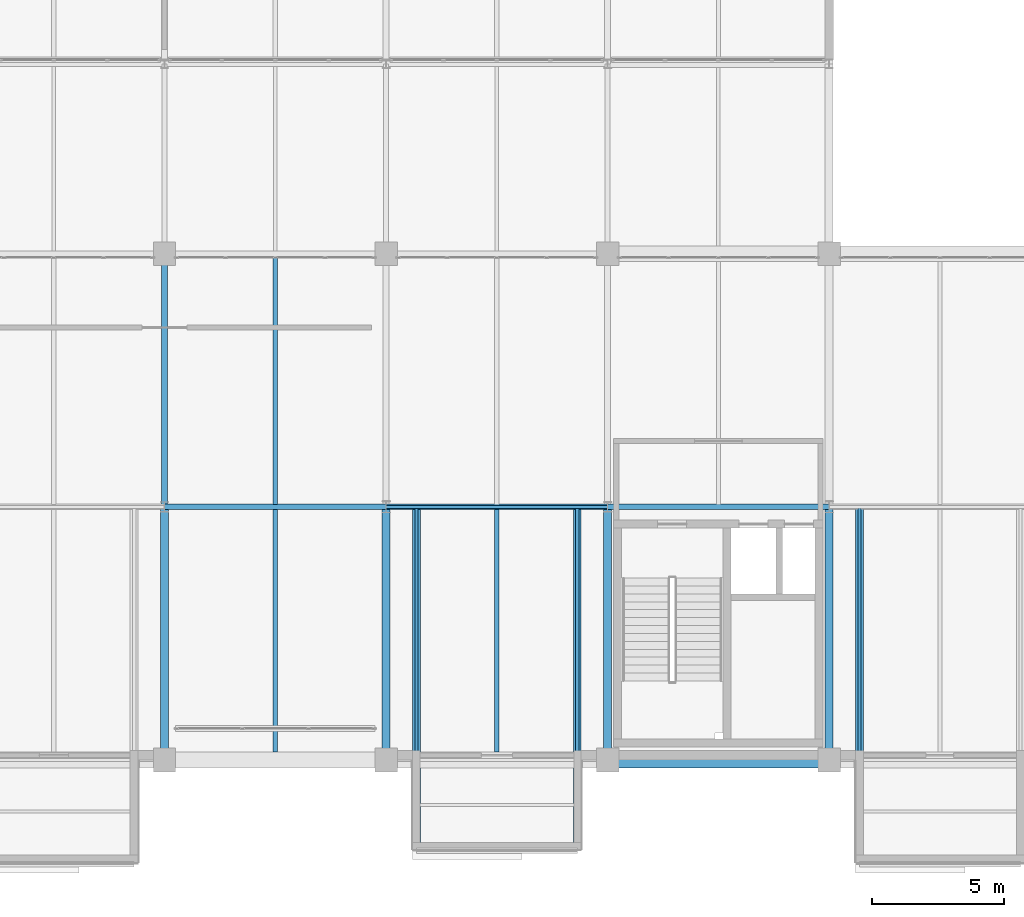
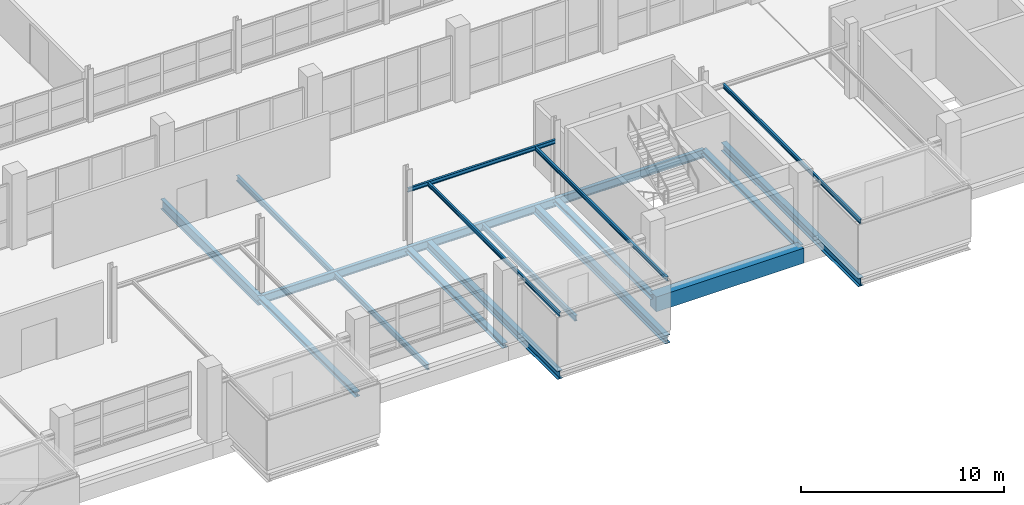
# One storey, part 35 of 103: 19 beams.
"""IFC4 building model written with IfcOpenShell, lengths in metres."""

from ifc_helpers import new_model, si_unit, direction, frame, origin, origin_2d, place, context, subcontext, project, spatial, rectangle, i_section, extrude, material, material_profile, profile_set, type_object, element, save


model = new_model("IFC4")

# Units and contexts
model_context = context("Model", 3, precision=1e-05, world=origin(), true_north=direction((0.0, 1.0)))
body_context = subcontext(model_context, "Body", "Model", "MODEL_VIEW")
ifc_project = project(units=[si_unit("LENGTHUNIT", "METRE"), si_unit("AREAUNIT", "SQUARE_METRE"), si_unit("VOLUMEUNIT", "CUBIC_METRE"), si_unit("PLANEANGLEUNIT", "RADIAN"), si_unit("MASSUNIT", "GRAM", prefix="KILO")], contexts=[model_context])

# Site, building, storey
site_placement = place(None, origin())
site = spatial("IfcSite", under=ifc_project, at=site_placement, CompositionType="ELEMENT")
building_placement = place(site_placement, origin())
building = spatial("IfcBuilding", under=site, at=building_placement, Name="Veltarok Museum of Natural Sciences", CompositionType="ELEMENT")
storey_placement = place(building_placement, frame((0.0, 0.0, 21.89990234375)))
storey = spatial("IfcBuildingStorey", under=building, at=storey_placement, Name="L04", CompositionType="ELEMENT", Elevation=21.89990234375)

# Beams
ifc_material_1 = material(Name="Steel S355J2", Category="steel")
ifc_material_profile_1 = material_profile(ifc_material_1, i_section(OverallWidth=0.300048828125, OverallDepth=0.5, WebThickness=0.014404296875, FlangeThickness=0.028076171875, FilletRadius=0.027099609375, at=origin_2d()), Name="HEB 500")
ifc_profile_set_1 = profile_set([ifc_material_profile_1], Name="Steel S355J2")
beam_type_1 = type_object("IfcBeamType", Name="Cabinet Box Cantilever Girder HEB 500", PredefinedType="BEAM", material=ifc_profile_set_1)
for number, where, z_axis, x_axis, name in (
    (1, (83.14990234375, -3.39990234375, -0.5), (0.0, 1.0, 0.0), (-1.0, 0.0, 0.0), "Cabinet Cantilever Girder DB-22-1"),
    (2, (89.25, -3.39990234375, -0.5), (0.0, 1.0, 0.0), (-1.0, 0.0, 0.0), "Cabinet Cantilever Girder DB-22-2"),
):
    element("IfcBeam", number, at=place(storey_placement, frame(where, z_axis=z_axis, x_axis=x_axis)), inside=storey, type_object=beam_type_1, Name=name, PredefinedType="BEAM", context=body_context, shape_type="SweptSolid", body=[
        extrude(i_section(OverallWidth=0.300048828125, OverallDepth=0.5, WebThickness=0.014404296875, FlangeThickness=0.028076171875, FilletRadius=0.027099609375, at=origin_2d()), origin(), (0.0, 0.0, 1.0), 13.0),
    ])
beam_1_placement = place(storey_placement, frame((99.949951171875, -3.89990234375, -0.5), z_axis=(0.0, 1.0, 0.0), x_axis=(-1.0, 0.0, 0.0)))
element("IfcBeam", 3, at=beam_1_placement, inside=storey, type_object=beam_type_1, Name="Cabinet Cantilever Girder DB-23-1", PredefinedType="BEAM", context=body_context, shape_type="SweptSolid", body=[
    extrude(i_section(OverallWidth=0.300048828125, OverallDepth=0.5, WebThickness=0.014404296875, FlangeThickness=0.028076171875, FilletRadius=0.027099609375, at=origin_2d()), origin(), (0.0, 0.0, 1.0), 13.5),
])
ifc_material_profile_2 = material_profile(ifc_material_1, i_section(OverallWidth=0.1201171875, OverallDepth=0.239990234375, WebThickness=0.006103515625, FlangeThickness=0.009765625, FilletRadius=0.014892578125, at=origin_2d()), Name="IPE 240")
ifc_profile_set_2 = profile_set([ifc_material_profile_2], Name="Steel S355J2")
beam_type_2 = type_object("IfcBeamType", Name="Cabinet Box Secondary Joist IPE 240", PredefinedType="JOIST", material=ifc_profile_set_2)
for number, where, z_axis, x_axis, name in (
    (4, (83.14990234375, -3.39990234375, 3.130126953125), (0.0, 1.0, 0.0), (-1.0, 0.0, 0.0), "Cabinet Roof Rafter DB-22-1"),
    (5, (89.25, -3.39990234375, 3.130126953125), (0.0, 1.0, 0.0), (-1.0, 0.0, 0.0), "Cabinet Roof Rafter DB-22-2"),
):
    element("IfcBeam", number, at=place(storey_placement, frame(where, z_axis=z_axis, x_axis=x_axis)), inside=storey, type_object=beam_type_2, Name=name, PredefinedType="JOIST", context=body_context, shape_type="SweptSolid", body=[
        extrude(i_section(OverallWidth=0.1201171875, OverallDepth=0.239990234375, WebThickness=0.006103515625, FlangeThickness=0.009765625, FilletRadius=0.014892578125, at=origin_2d()), origin(), (0.0, 0.0, 1.0), 13.0),
    ])
beam_2_placement = place(storey_placement, frame((82.0, 9.60009765625, 3.130126953125), z_axis=(1.0, 0.0, 0.0), x_axis=(0.0, 1.0, 0.0)))
element("IfcBeam", 6, at=beam_2_placement, inside=storey, type_object=beam_type_2, Name="Cabinet Roof Tie Beam DB-22-I", PredefinedType="JOIST", context=body_context, shape_type="SweptSolid", body=[
    extrude(i_section(OverallWidth=0.1201171875, OverallDepth=0.239990234375, WebThickness=0.006103515625, FlangeThickness=0.009765625, FilletRadius=0.014892578125, at=origin_2d()), origin(), (0.0, 0.0, 1.0), 8.39990234375),
])
beam_3_placement = place(storey_placement, frame((99.949951171875, -3.89990234375, 3.130126953125), z_axis=(0.0, 1.0, 0.0), x_axis=(-1.0, 0.0, 0.0)))
element("IfcBeam", 7, at=beam_3_placement, inside=storey, type_object=beam_type_2, Name="Cabinet Roof Rafter DB-23-1", PredefinedType="JOIST", context=body_context, shape_type="SweptSolid", body=[
    extrude(i_section(OverallWidth=0.1201171875, OverallDepth=0.239990234375, WebThickness=0.006103515625, FlangeThickness=0.009765625, FilletRadius=0.014892578125, at=origin_2d()), origin(), (0.0, 0.0, 1.0), 13.5),
])
ifc_material_2 = material(Name="Concrete C40/50", Category="concrete")
ifc_material_profile_3 = material_profile(ifc_material_2, rectangle(XDim=0.60009765625, YDim=0.89990234375, at=origin_2d()), Name="RC 600x900")
ifc_profile_set_3 = profile_set([ifc_material_profile_3], Name="Concrete C40/50")
beam_type_3 = type_object("IfcBeamType", Name="Exposed Cabinet Perimeter Spandrel RC 600x900", PredefinedType="SPANDREL", material=ifc_profile_set_3)
beam_4_placement = place(storey_placement, frame((90.39990234375, 0.0, -0.699951171875), z_axis=(1.0, 0.0, 0.0), x_axis=(0.0, 1.0, 0.0)))
element("IfcBeam", 8, at=beam_4_placement, inside=storey, type_object=beam_type_3, Name="Beam BM-SP01 L04 11-12/A", PredefinedType="SPANDREL", context=body_context, shape_type="SweptSolid", body=[
    extrude(rectangle(XDim=0.60009765625, YDim=0.89990234375, at=origin_2d()), origin(), (0.0, 0.0, 1.0), 8.400146484375),
])
ifc_material_profile_4 = material_profile(ifc_material_1, i_section(OverallWidth=0.300048828125, OverallDepth=0.2900390625, WebThickness=0.008544921875, FlangeThickness=0.013916015625, FilletRadius=0.027099609375, at=origin_2d()), Name="HEA 300")
ifc_profile_set_4 = profile_set([ifc_material_profile_4], Name="Steel S355J2")
beam_type_4 = type_object("IfcBeamType", Name="Glazed Hall Edge Spandrel HEA 300", PredefinedType="SPANDREL", material=ifc_profile_set_4)
for number, where, z_axis, x_axis, name in (
    (9, (73.60009765625, 0.0, -0.39501953125), (0.0, 1.0, 0.0), (-1.0, 0.0, 0.0), "Beam BM-SP03 L04 9/A-B"),
    (10, (82.0, 0.0, -0.39501953125), (0.0, 1.0, 0.0), (-1.0, 0.0, 0.0), "Beam BM-SP03 L04 10/A-B"),
    (11, (90.39990234375, 0.0, -0.39501953125), (0.0, 1.0, 0.0), (-1.0, 0.0, 0.0), "Beam BM-SP03 L04 11/A-B"),
    (12, (98.800048828125, 0.0, -0.39501953125), (0.0, 1.0, 0.0), (-1.0, 0.0, 0.0), "Beam BM-SP03 L04 12/A-B"),
):
    element("IfcBeam", number, at=place(storey_placement, frame(where, z_axis=z_axis, x_axis=x_axis)), inside=storey, type_object=beam_type_4, Name=name, PredefinedType="SPANDREL", context=body_context, shape_type="SweptSolid", body=[
        extrude(i_section(OverallWidth=0.300048828125, OverallDepth=0.2900390625, WebThickness=0.008544921875, FlangeThickness=0.013916015625, FilletRadius=0.027099609375, at=origin_2d()), origin(), (0.0, 0.0, 1.0), 9.60009765625),
    ])
ifc_material_profile_5 = material_profile(ifc_material_1, i_section(OverallWidth=0.159912109375, OverallDepth=0.330078125, WebThickness=0.007568359375, FlangeThickness=0.011474609375, FilletRadius=0.01806640625, at=origin_2d()), Name="IPE 330")
ifc_profile_set_5 = profile_set([ifc_material_profile_5], Name="Steel S355J2")
beam_type_5 = type_object("IfcBeamType", Name="Medium-Bay Composite Joist IPE 330", PredefinedType="JOIST", material=ifc_profile_set_5)
beam_5_placement = place(storey_placement, frame((77.800048828125, 0.298095703125, -0.414794921875), z_axis=(0.0, 1.0, 0.0), x_axis=(-1.0, 0.0, 0.0)))
element("IfcBeam", 13, at=beam_5_placement, inside=storey, type_object=beam_type_5, Name="Secondary Joist BM-J02 L04 9-10/A-B.1", PredefinedType="JOIST", context=body_context, shape_type="SweptSolid", body=[
    extrude(i_section(OverallWidth=0.159912109375, OverallDepth=0.330078125, WebThickness=0.007568359375, FlangeThickness=0.011474609375, FilletRadius=0.01806640625, at=origin_2d()), origin(), (0.0, 0.0, 1.0), 9.203857421875),
])
beam_6_placement = place(storey_placement, frame((77.800048828125, 9.697998046875, -0.414794921875), z_axis=(0.0, 1.0, 0.0), x_axis=(-1.0, 0.0, 0.0)))
element("IfcBeam", 14, at=beam_6_placement, inside=storey, type_object=beam_type_5, Name="Secondary Joist BM-J02 L04 9-10/B-C.1", PredefinedType="JOIST", context=body_context, shape_type="SweptSolid", body=[
    extrude(i_section(OverallWidth=0.159912109375, OverallDepth=0.330078125, WebThickness=0.007568359375, FlangeThickness=0.011474609375, FilletRadius=0.01806640625, at=origin_2d()), origin(), (0.0, 0.0, 1.0), 9.404052734375),
])
beam_7_placement = place(storey_placement, frame((86.199951171875, 0.298095703125, -0.414794921875), z_axis=(0.0, 1.0, 0.0), x_axis=(-1.0, 0.0, 0.0)))
element("IfcBeam", 15, at=beam_7_placement, inside=storey, type_object=beam_type_5, Name="Secondary Joist BM-J02 L04 10-11/A-B.1", PredefinedType="JOIST", context=body_context, shape_type="SweptSolid", body=[
    extrude(i_section(OverallWidth=0.159912109375, OverallDepth=0.330078125, WebThickness=0.007568359375, FlangeThickness=0.011474609375, FilletRadius=0.01806640625, at=origin_2d()), origin(), (0.0, 0.0, 1.0), 9.203857421875),
])
ifc_material_profile_6 = material_profile(ifc_material_1, i_section(OverallWidth=0.219970703125, OverallDepth=0.60009765625, WebThickness=0.011962890625, FlangeThickness=0.01904296875, FilletRadius=0.02392578125, at=origin_2d()), Name="IPE 600")
ifc_profile_set_6 = profile_set([ifc_material_profile_6], Name="Steel S355J2")
beam_type_6 = type_object("IfcBeamType", Name="Primary Museum Girder IPE 600", PredefinedType="BEAM", material=ifc_profile_set_6)
beam_8_placement = place(storey_placement, frame((73.60009765625, 9.60009765625, -0.5498046875), z_axis=(0.0, 1.0, 0.0), x_axis=(-1.0, 0.0, 0.0)))
element("IfcBeam", 16, at=beam_8_placement, inside=storey, type_object=beam_type_6, Name="Beam BM-G02 L04 9/B-C", PredefinedType="BEAM", context=body_context, shape_type="SweptSolid", body=[
    extrude(i_section(OverallWidth=0.219970703125, OverallDepth=0.60009765625, WebThickness=0.011962890625, FlangeThickness=0.01904296875, FilletRadius=0.02392578125, at=origin_2d()), origin(), (0.0, 0.0, 1.0), 9.599853515625),
])
ifc_material_profile_7 = material_profile(ifc_material_1, i_section(OverallWidth=0.199951171875, OverallDepth=0.5, WebThickness=0.01025390625, FlangeThickness=0.01611328125, FilletRadius=0.02099609375, at=origin_2d()), Name="IPE 500")
ifc_profile_set_7 = profile_set([ifc_material_profile_7], Name="Steel S355J2")
beam_type_7 = type_object("IfcBeamType", Name="Standard Gallery Girder IPE 500", PredefinedType="BEAM", material=ifc_profile_set_7)
for number, where, z_axis, x_axis, name in (
    (17, (73.60009765625, 9.60009765625, -0.5), (1.0, 0.0, 0.0), (0.0, 1.0, 0.0), "Beam BM-G04 L04 9-10/B"),
    (18, (82.0, 9.60009765625, -0.5), (1.0, 0.0, 0.0), (0.0, 1.0, 0.0), "Beam BM-G04 L04 10-11/B"),
):
    element("IfcBeam", number, at=place(storey_placement, frame(where, z_axis=z_axis, x_axis=x_axis)), inside=storey, type_object=beam_type_7, Name=name, PredefinedType="BEAM", context=body_context, shape_type="SweptSolid", body=[
        extrude(i_section(OverallWidth=0.199951171875, OverallDepth=0.5, WebThickness=0.01025390625, FlangeThickness=0.01611328125, FilletRadius=0.02099609375, at=origin_2d()), origin(), (0.0, 0.0, 1.0), 8.39990234375),
    ])
beam_9_placement = place(storey_placement, frame((90.39990234375, 9.60009765625, -0.5), z_axis=(1.0, 0.0, 0.0), x_axis=(0.0, 1.0, 0.0)))
element("IfcBeam", 19, at=beam_9_placement, inside=storey, type_object=beam_type_7, Name="Beam BM-G04 L04 11-12/B", PredefinedType="BEAM", context=body_context, shape_type="SweptSolid", body=[
    extrude(i_section(OverallWidth=0.199951171875, OverallDepth=0.5, WebThickness=0.01025390625, FlangeThickness=0.01611328125, FilletRadius=0.02099609375, at=origin_2d()), origin(), (0.0, 0.0, 1.0), 8.400146484375),
])

save(model, "model.ifc")
